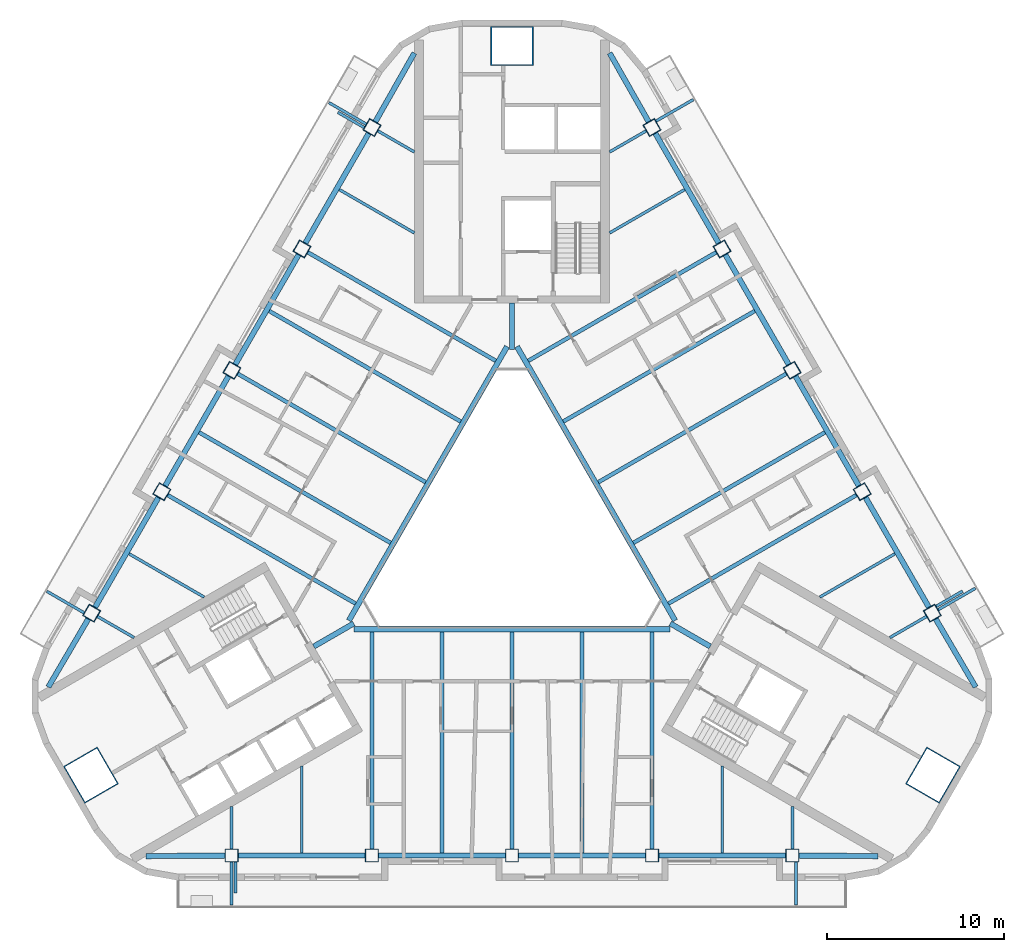
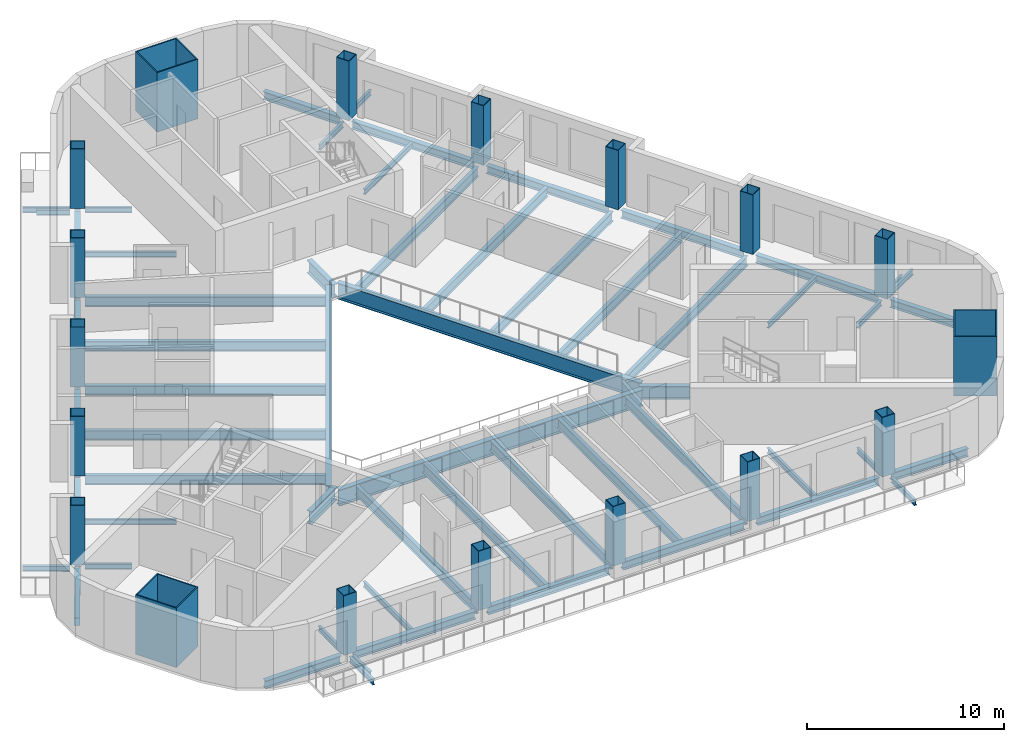
# One storey, part 1 of 14: 60 beams, 18 columns.
"""IFC4 building model written with IfcOpenShell, lengths in metres."""

import ifcopenshell
import ifcopenshell.guid

model = None  # the IFC model being written
_history = None  # IfcOwnerHistory: only IFC2X3 demands one
_inside = {}  # id of a spatial element -> (the spatial element, [elements in it])
_under = {}  # id of a project, library or spatial element -> (it, [spatial elements below it])
_declared = {}  # id of a project -> (the project, [libraries it declares])
_typed = {}  # id of a type object -> (the type object, [elements of that type])
_made_of = {}  # id of a material, layer set ... -> (it, [elements and type objects made of it])


def new_model(schema):
    """Start an empty IFC model of exactly this schema.

    Asked for "IFC4X3", IfcOpenShell would pick the latest addendum, in which some entities
    have other attributes; the version numbers below select the first issue.
    IFC2X3 requires an IfcOwnerHistory on every rooted entity: one is made here for all.
    """
    global model, _history
    if schema == "IFC4X3":
        model = ifcopenshell.file(schema_version=(4, 3, 0, 0))
    else:
        model = ifcopenshell.file(schema=schema)
    _inside.clear()
    _under.clear()
    _declared.clear()
    _typed.clear()
    _made_of.clear()
    _history = None
    if model.schema == "IFC2X3":
        org = make("IfcOrganization", Name="unknown")
        user = make(
            "IfcPersonAndOrganization",
            ThePerson=make("IfcPerson", FamilyName="unknown"),
            TheOrganization=org,
        )
        app = make(
            "IfcApplication",
            ApplicationDeveloper=org,
            Version="unknown",
            ApplicationFullName="unknown",
            ApplicationIdentifier="unknown",
        )
        _history = make(
            "IfcOwnerHistory",
            OwningUser=user,
            OwningApplication=app,
            ChangeAction="ADDED",
            CreationDate=0,
        )
    return model


def make(cls, **values):
    """One entity of the class cls with the attributes given. An attribute that is None is left unset."""
    return model.create_entity(
        cls, **{name: value for name, value in values.items() if value is not None}
    )


def rooted(cls, **values):
    """An entity with a GlobalId (a new one), such as an element, a storey or a relation."""
    return make(cls, GlobalId=ifcopenshell.guid.new(), OwnerHistory=_history, **values)


def si_unit(unit_type, name, prefix=None):
    """IfcSIUnit, for example si_unit("LENGTHUNIT", "METRE", prefix="MILLI")."""
    return make("IfcSIUnit", UnitType=unit_type, Prefix=prefix, Name=name)


def assignment(units):
    """IfcUnitAssignment: the units of a project."""
    return None if units is None else make("IfcUnitAssignment", Units=units)


def point(xyz):
    """IfcCartesianPoint."""
    return None if xyz is None else make("IfcCartesianPoint", Coordinates=xyz)


def direction(xyz):
    """IfcDirection."""
    return None if xyz is None else make("IfcDirection", DirectionRatios=xyz)


def frame(location, z_axis=None, x_axis=None):
    """IfcAxis2Placement3D, a coordinate frame: its origin and axes. An axis left out is left unset."""
    return make(
        "IfcAxis2Placement3D",
        Location=point(location),
        Axis=direction(z_axis),
        RefDirection=direction(x_axis),
    )


def frame_2d(location, x_axis=None):
    """IfcAxis2Placement2D, a coordinate frame in the plane: its origin and x axis."""
    return make(
        "IfcAxis2Placement2D", Location=point(location), RefDirection=direction(x_axis)
    )


def origin():
    """The frame at (0, 0, 0) with its axes left unset."""
    return frame((0.0, 0.0, 0.0))


def origin_2d():
    """The frame at (0, 0) in the plane with its x axis left unset."""
    return frame_2d((0.0, 0.0))


def place(relative_to, where):
    """IfcLocalPlacement: puts the frame where relative to a parent placement (None: the world)."""
    return make(
        "IfcLocalPlacement", PlacementRelTo=relative_to, RelativePlacement=where
    )


def context(
    kind, dimensions, precision=None, world=None, true_north=None, identifier=None
):
    """IfcGeometricRepresentationContext, for example the 3D "Model" context."""
    return make(
        "IfcGeometricRepresentationContext",
        ContextIdentifier=identifier,
        ContextType=kind,
        CoordinateSpaceDimension=dimensions,
        Precision=precision,
        WorldCoordinateSystem=world,
        TrueNorth=true_north,
    )


def subcontext(parent, identifier, kind, view, scale=None):
    """IfcGeometricRepresentationSubContext, for example "Body" below "Model"."""
    return make(
        "IfcGeometricRepresentationSubContext",
        ContextIdentifier=identifier,
        ContextType=kind,
        ParentContext=parent,
        TargetScale=scale,
        TargetView=view,
    )


def project(units=None, contexts=None):
    """IfcProject with its units and contexts."""
    return rooted(
        "IfcProject",
        Name="project",
        RepresentationContexts=contexts,
        UnitsInContext=assignment(units),
    )


def spatial(cls, under=None, at=None, **own):
    """A site, building, storey or space (cls), placed at a placement, below another one or the project."""
    s = rooted(cls, ObjectPlacement=at, **own)
    if under is not None:
        _under.setdefault(under.id(), (under, []))[1].append(s)
    return s


def profile(cls, at=None, kind="AREA", **sizes):
    """A parametric profile (cls). Its sizes go by their IFC names, for example OverallWidth=200.0."""
    return make(cls, ProfileType=kind, Position=at, **sizes)


def rectangle(**sizes):
    """IfcRectangleProfileDef."""
    return profile("IfcRectangleProfileDef", **sizes)


def hollow_rectangle(**sizes):
    """IfcRectangleHollowProfileDef."""
    return profile("IfcRectangleHollowProfileDef", **sizes)


def i_section(**sizes):
    """IfcIShapeProfileDef."""
    return profile("IfcIShapeProfileDef", **sizes)


def extrude(swept, where, along, depth):
    """IfcExtrudedAreaSolid: the profile swept, set in the frame where, extruded along a direction by depth."""
    return make(
        "IfcExtrudedAreaSolid",
        SweptArea=swept,
        Position=where,
        ExtrudedDirection=direction(along),
        Depth=depth,
    )


def shape(context_of_items, identifier, shape_type, items):
    """IfcShapeRepresentation: the items that make up one representation, for example the "Body"."""
    return make(
        "IfcShapeRepresentation",
        ContextOfItems=context_of_items,
        RepresentationIdentifier=identifier,
        RepresentationType=shape_type,
        Items=items,
    )


def material(Name=None, Category=None):
    """IfcMaterial."""
    return make("IfcMaterial", Name=Name, Category=Category)


def material_profile(
    of_material, cross_section, Name=None, Category=None, Priority=None
):
    """IfcMaterialProfile: a cross section and its material."""
    return make(
        "IfcMaterialProfile",
        Name=Name,
        Material=of_material,
        Profile=cross_section,
        Priority=Priority,
        Category=Category,
    )


def profile_set(profiles, Name=None, composite=None):
    """IfcMaterialProfileSet."""
    return make(
        "IfcMaterialProfileSet",
        Name=Name,
        MaterialProfiles=profiles,
        CompositeProfile=composite,
    )


def made_of(thing, what):
    """Note that an element or type object is made of a material, layer set ...; save() writes the relation."""
    if what is not None:
        _made_of.setdefault(what.id(), (what, []))[1].append(thing)
    return thing


def type_object(cls, material=None, **own):
    """A type object (cls), such as IfcWallType, which elements share."""
    return made_of(rooted(cls, **own), material)


def element(
    cls,
    number,
    at=None,
    inside=None,
    cuts=None,
    type_object=None,
    material=None,
    context=None,
    identifier="Body",
    shape_type=None,
    held_by="IfcProductDefinitionShape",
    body=None,
    shapes=None,
    **own,
):
    """One element of the class cls, such as IfcWall. Its Tag is "e" and its number.

    at: its placement. inside: the storey or other place that contains it. cuts: it is an
    opening in that element (IfcRelVoidsElement). A single representation is given by context,
    identifier, shape_type and body (its items); several are given by shapes. held_by: the class
    of the entity that holds the representations. save() writes the other relations.
    """
    e = rooted(cls, Tag="e%d" % number, ObjectPlacement=at, **own)
    if body is not None:
        shapes = [shape(context, identifier, shape_type, body)]
    if shapes is not None:
        e.Representation = make(held_by, Representations=shapes)
    if inside is not None:
        _inside.setdefault(inside.id(), (inside, []))[1].append(e)
    if cuts is not None:
        rooted(
            "IfcRelVoidsElement", RelatingBuildingElement=cuts, RelatedOpeningElement=e
        )
    if type_object is not None:
        _typed.setdefault(type_object.id(), (type_object, []))[1].append(e)
    return made_of(e, material)


def aggregate(whole, parts):
    """IfcRelAggregates: a whole, such as a stair, and the parts it consists of."""
    return rooted("IfcRelAggregates", RelatingObject=whole, RelatedObjects=parts)


def save(model, path):
    """Write the relations noted so far, then the file.

    IfcRelAggregates (storeys below a building ...), IfcRelContainedInSpatialStructure (elements
    in a storey), IfcRelDefinesByType, IfcRelAssociatesMaterial and IfcRelDeclares: one each for
    every whole, place, type object, material and project.
    """
    for whole, parts in _under.values():
        aggregate(whole, parts)
    for where, things in _inside.values():
        rooted(
            "IfcRelContainedInSpatialStructure",
            RelatedElements=things,
            RelatingStructure=where,
        )
    for kind, things in _typed.values():
        rooted("IfcRelDefinesByType", RelatedObjects=things, RelatingType=kind)
    for what, things in _made_of.values():
        rooted("IfcRelAssociatesMaterial", RelatedObjects=things, RelatingMaterial=what)
    for by, libraries in _declared.values():
        rooted("IfcRelDeclares", RelatingContext=by, RelatedDefinitions=libraries)
    model.write(path)


model = new_model("IFC4")

# Units and contexts
model_context = context("Model", 3, precision=1e-05, world=origin(), true_north=direction((0.0, 1.0)))
body_context = subcontext(model_context, "Body", "Model", "MODEL_VIEW")
ifc_project = project(units=[si_unit("LENGTHUNIT", "METRE"), si_unit("AREAUNIT", "SQUARE_METRE"), si_unit("VOLUMEUNIT", "CUBIC_METRE"), si_unit("PLANEANGLEUNIT", "RADIAN"), si_unit("MASSUNIT", "GRAM", prefix="KILO")], contexts=[model_context])

# Site, building, storey
site_placement = place(None, origin())
site = spatial("IfcSite", under=ifc_project, at=site_placement, CompositionType="ELEMENT")
building_placement = place(site_placement, origin())
building = spatial("IfcBuilding", under=site, at=building_placement, Name="Apuvela Tower Hotel", CompositionType="ELEMENT")
storey_placement = place(building_placement, frame((0.0, 0.0, 220.60009765625)))
storey = spatial("IfcBuildingStorey", under=building, at=storey_placement, Name="L54", CompositionType="ELEMENT", Elevation=220.60009765625)

# Columns
ifc_material_1 = material(Name="Steel S460", Category="steel")
ifc_material_profile_1 = material_profile(ifc_material_1, hollow_rectangle(XDim=2.39990234375, YDim=2.199951171875, WallThickness=0.06005859375, at=origin_2d()), Name="BOX 2400x2200x60")
ifc_material_2 = material(Name="Concrete C80/95", Category="concrete")
ifc_material_profile_2 = material_profile(ifc_material_2, rectangle(XDim=2.280029296875, YDim=2.080078125, at=origin_2d()), Name="Concrete C80/95 infill")
ifc_profile_set_1 = profile_set([ifc_material_profile_1, ifc_material_profile_2], Name="Steel S460")
column_type_1 = type_object("IfcColumnType", Name="STR-MC mega column BOX 2400x2200x60", PredefinedType="COLUMN", material=ifc_profile_set_1)
for number, where, z_axis, x_axis, name in (
    (1, (0.0, 27.39990234375, 0.0), (0.0, 0.0, 1.0), (1.0, 0.0, 0.0), "Mega column MC3 N"),
    (2, (-23.72900390625, -13.699951171875, 0.0), (0.0, 0.0, 1.0), (-0.5, 0.866025403784, 0.0), "Mega column MC3 SW"),
    (3, (23.72900390625, -13.699951171875, 0.0), (0.0, 0.0, 1.0), (0.5, 0.866025403784, 0.0), "Mega column MC3 SE"),
):
    element("IfcColumn", number, at=place(storey_placement, frame(where, z_axis=z_axis, x_axis=x_axis)), inside=storey, type_object=column_type_1, Name=name, PredefinedType="COLUMN", context=body_context, shape_type="SweptSolid", body=[
        extrude(hollow_rectangle(XDim=2.39990234375, YDim=2.199951171875, WallThickness=0.06005859375, at=origin_2d()), origin(), (0.0, 0.0, 1.0), 3.699951171875),
    ])
ifc_material_profile_3 = material_profile(ifc_material_1, hollow_rectangle(XDim=0.75, YDim=0.75, WallThickness=0.034912109375, at=origin_2d()), Name="BOX 750x750x35")
ifc_material_profile_4 = material_profile(ifc_material_2, rectangle(XDim=0.679931640625, YDim=0.679931640625, at=origin_2d()), Name="Concrete C80/95 infill")
ifc_profile_set_2 = profile_set([ifc_material_profile_3, ifc_material_profile_4], Name="Steel S460")
column_type_2 = type_object("IfcColumnType", Name="STR-PC perimeter column BOX 750x750x35", PredefinedType="COLUMN", material=ifc_profile_set_2)
for number, where, z_axis, x_axis, name in (
    (4, (-15.800048828125, -18.22998046875, 0.0), (0.0, 0.0, 1.0), (-1.0, 0.0, 0.0), "Perimeter column C5 S1"),
    (5, (-7.89990234375, -18.22998046875, 0.0), (0.0, 0.0, 1.0), (-1.0, 0.0, 0.0), "Perimeter column C5 S2"),
    (6, (0.0, -18.22998046875, 0.0), (0.0, 0.0, 1.0), (-1.0, 0.0, 0.0), "Perimeter column C5 S3"),
    (7, (7.89990234375, -18.22998046875, 0.0), (0.0, 0.0, 1.0), (-1.0, 0.0, 0.0), "Perimeter column C5 S4"),
    (8, (15.800048828125, -18.22998046875, 0.0), (0.0, 0.0, 1.0), (-1.0, 0.0, 0.0), "Perimeter column C5 S5"),
    (9, (23.6875, -4.568115234375, 0.0), (0.0, 0.0, 1.0), (-0.5, 0.866025403784, 0.0), "Perimeter column C5 NE1"),
    (10, (19.737548828125, 2.2734375, 0.0), (0.0, 0.0, 1.0), (-0.5, 0.866025403784, 0.0), "Perimeter column C5 NE2"),
    (11, (15.78759765625, 9.114990234375, 0.0), (0.0, 0.0, 1.0), (-0.5, 0.866025403784, 0.0), "Perimeter column C5 NE3"),
    (12, (11.837646484375, 15.95654296875, 0.0), (0.0, 0.0, 1.0), (-0.5, 0.866025403784, 0.0), "Perimeter column C5 NE4"),
    (13, (7.8876953125, 22.798095703125, 0.0), (0.0, 0.0, 1.0), (-0.5, 0.866025403784, 0.0), "Perimeter column C5 NE5"),
    (14, (-7.8876953125, 22.798095703125, 0.0), (0.0, 0.0, 1.0), (0.5, 0.866025403784, 0.0), "Perimeter column C5 NW1"),
    (15, (-11.837646484375, 15.95654296875, 0.0), (0.0, 0.0, 1.0), (0.5, 0.866025403784, 0.0), "Perimeter column C5 NW2"),
    (16, (-15.78759765625, 9.114990234375, 0.0), (0.0, 0.0, 1.0), (0.5, 0.866025403784, 0.0), "Perimeter column C5 NW3"),
    (17, (-19.737548828125, 2.2734375, 0.0), (0.0, 0.0, 1.0), (0.5, 0.866025403784, 0.0), "Perimeter column C5 NW4"),
    (18, (-23.6875, -4.568115234375, 0.0), (0.0, 0.0, 1.0), (0.5, 0.866025403784, 0.0), "Perimeter column C5 NW5"),
):
    element("IfcColumn", number, at=place(storey_placement, frame(where, z_axis=z_axis, x_axis=x_axis)), inside=storey, type_object=column_type_2, Name=name, PredefinedType="COLUMN", context=body_context, shape_type="SweptSolid", body=[
        extrude(hollow_rectangle(XDim=0.75, YDim=0.75, WallThickness=0.034912109375, at=origin_2d()), origin(), (0.0, 0.0, 1.0), 3.699951171875),
    ])

# Beams
ifc_material_3 = material(Name="Steel S355", Category="steel")
ifc_material_profile_5 = material_profile(ifc_material_3, i_section(OverallWidth=0.159912109375, OverallDepth=0.330078125, WebThickness=0.007568359375, FlangeThickness=0.011474609375, at=origin_2d()), Name="IPE 330")
ifc_profile_set_3 = profile_set([ifc_material_profile_5], Name="Steel S355")
beam_type_1 = type_object("IfcBeamType", Name="ENV-BALCONY-BEAM-IPE330", PredefinedType="BEAM", material=ifc_profile_set_3)
beam_1_placement = place(storey_placement, frame((-15.800048828125, -18.60498046875, -0.315185546875), z_axis=(0.0, -1.0, 0.0), x_axis=(1.0, 0.0, 0.0)))
element("IfcBeam", 19, at=beam_1_placement, inside=storey, type_object=beam_type_1, Name="Balcony cantilever beam S1 L54", PredefinedType="BEAM", context=body_context, shape_type="SweptSolid", body=[
    extrude(i_section(OverallWidth=0.159912109375, OverallDepth=0.330078125, WebThickness=0.007568359375, FlangeThickness=0.011474609375, at=origin_2d()), origin(), (0.0, 0.0, 1.0), 2.425048828125),
])
beam_2_placement = place(storey_placement, frame((-15.580078125, -18.60498046875, -0.315185546875), z_axis=(0.0, -1.0, 0.0), x_axis=(1.0, 0.0, 0.0)))
element("IfcBeam", 20, at=beam_2_placement, inside=storey, type_object=beam_type_1, Name="Balcony cantilever beam S2 L54", PredefinedType="BEAM", context=body_context, shape_type="SweptSolid", body=[
    extrude(i_section(OverallWidth=0.159912109375, OverallDepth=0.330078125, WebThickness=0.007568359375, FlangeThickness=0.011474609375, at=origin_2d()), origin(), (0.0, 0.0, 1.0), 1.72509765625),
])
for number, where, z_axis, x_axis, name in (
    (21, (16.0, -18.60498046875, -0.315185546875), (0.0, -1.0, 0.0), (1.0, 0.0, 0.0), "Balcony cantilever beam S3 L54"),
    (22, (24.012451171875, -4.380615234375, -0.315185546875), (0.866041403502, 0.499972286653, 0.0), (-0.499972286653, 0.866041403502, 0.0), "Balcony cantilever beam NE1 L54"),
):
    element("IfcBeam", number, at=place(storey_placement, frame(where, z_axis=z_axis, x_axis=x_axis)), inside=storey, type_object=beam_type_1, Name=name, PredefinedType="BEAM", context=body_context, shape_type="SweptSolid", body=[
        extrude(i_section(OverallWidth=0.159912109375, OverallDepth=0.330078125, WebThickness=0.007568359375, FlangeThickness=0.011474609375, at=origin_2d()), origin(), (0.0, 0.0, 1.0), 2.425048828125),
    ])
beam_3_placement = place(storey_placement, frame((23.90234375, -4.190185546875, -0.315185546875), z_axis=(0.866013532718, 0.500020560727, 0.0), x_axis=(-0.500020560727, 0.866013532718, 0.0)))
element("IfcBeam", 23, at=beam_3_placement, inside=storey, type_object=beam_type_1, Name="Balcony cantilever beam NE2 L54", PredefinedType="BEAM", context=body_context, shape_type="SweptSolid", body=[
    extrude(i_section(OverallWidth=0.159912109375, OverallDepth=0.330078125, WebThickness=0.007568359375, FlangeThickness=0.011474609375, at=origin_2d()), origin(), (0.0, 0.0, 1.0), 1.72509765625),
])
for number, where, z_axis, x_axis, name in (
    (24, (8.1123046875, 23.158935546875, -0.315185546875), (0.866041403502, 0.499972286653, 0.0), (-0.499972286653, 0.866041403502, 0.0), "Balcony cantilever beam NE3 L54"),
    (25, (-8.21240234375, 22.985595703125, -0.315185546875), (-0.865997808697, 0.500047793048, 0.0), (-0.500047793048, -0.865997808697, 0.0), "Balcony cantilever beam NW1 L54"),
):
    element("IfcBeam", number, at=place(storey_placement, frame(where, z_axis=z_axis, x_axis=x_axis)), inside=storey, type_object=beam_type_1, Name=name, PredefinedType="BEAM", context=body_context, shape_type="SweptSolid", body=[
        extrude(i_section(OverallWidth=0.159912109375, OverallDepth=0.330078125, WebThickness=0.007568359375, FlangeThickness=0.011474609375, at=origin_2d()), origin(), (0.0, 0.0, 1.0), 2.425048828125),
    ])
beam_4_placement = place(storey_placement, frame((-8.322509765625, 22.795166015625, -0.315185546875), z_axis=(-0.866013532718, 0.500020560727, 0.0), x_axis=(-0.500020560727, -0.866013532718, 0.0)))
element("IfcBeam", 26, at=beam_4_placement, inside=storey, type_object=beam_type_1, Name="Balcony cantilever beam NW2 L54", PredefinedType="BEAM", context=body_context, shape_type="SweptSolid", body=[
    extrude(i_section(OverallWidth=0.159912109375, OverallDepth=0.330078125, WebThickness=0.007568359375, FlangeThickness=0.011474609375, at=origin_2d()), origin(), (0.0, 0.0, 1.0), 1.72509765625),
])
beam_5_placement = place(storey_placement, frame((-24.1123046875, -4.553955078125, -0.315185546875), z_axis=(-0.865997808697, 0.500047793048, 0.0), x_axis=(-0.500047793048, -0.865997808697, 0.0)))
element("IfcBeam", 27, at=beam_5_placement, inside=storey, type_object=beam_type_1, Name="Balcony cantilever beam NW3 L54", PredefinedType="BEAM", context=body_context, shape_type="SweptSolid", body=[
    extrude(i_section(OverallWidth=0.159912109375, OverallDepth=0.330078125, WebThickness=0.007568359375, FlangeThickness=0.011474609375, at=origin_2d()), origin(), (0.0, 0.0, 1.0), 2.425048828125),
])
ifc_material_profile_6 = material_profile(ifc_material_3, i_section(OverallWidth=0.159912109375, OverallDepth=0.330078125, WebThickness=0.007568359375, FlangeThickness=0.011474609375, at=origin_2d()), Name="IPE 330")
ifc_profile_set_4 = profile_set([ifc_material_profile_6], Name="Steel S355")
beam_type_2 = type_object("IfcBeamType", Name="STR-B floor beam IPE 330", PredefinedType="BEAM", material=ifc_profile_set_4)
beam_6_placement = place(storey_placement, frame((23.36279296875, -4.755615234375, -0.315185546875), z_axis=(-0.865982457891, -0.500074377092, 0.0), x_axis=(0.500074377092, -0.865982457891, 0.0)))
element("IfcBeam", 28, at=beam_6_placement, inside=storey, type_object=beam_type_2, Name="Floor beam B1 NE1", PredefinedType="BEAM", context=body_context, shape_type="SweptSolid", body=[
    extrude(i_section(OverallWidth=0.159912109375, OverallDepth=0.330078125, WebThickness=0.007568359375, FlangeThickness=0.011474609375, at=origin_2d()), origin(), (0.0, 0.0, 1.0), 2.382080078125),
])
for number, where, z_axis, x_axis, name in (
    (29, (21.582763671875, -1.222412109375, -0.315185546875), (-0.866015056278, -0.500017921979, 0.0), (0.500017921979, -0.866015056278, 0.0), "Floor beam B1 NE2"),
    (30, (9.732666015625, 19.302490234375, -0.315185546875), (-0.866015056278, -0.500017921979, 0.0), (0.500017921979, -0.866015056278, 0.0), "Floor beam B1 NE8"),
):
    element("IfcBeam", number, at=place(storey_placement, frame(where, z_axis=z_axis, x_axis=x_axis)), inside=storey, type_object=beam_type_2, Name=name, PredefinedType="BEAM", context=body_context, shape_type="SweptSolid", body=[
        extrude(i_section(OverallWidth=0.159912109375, OverallDepth=0.330078125, WebThickness=0.007568359375, FlangeThickness=0.011474609375, at=origin_2d()), origin(), (0.0, 0.0, 1.0), 4.887451171875),
    ])
for number, where, z_axis, x_axis, name in (
    (31, (7.56298828125, 22.610595703125, -0.315185546875), (-0.866052464367, -0.499953126767, 0.0), (0.499953126767, -0.866052464367, 0.0), "Floor beam B1 NE9"),
    (32, (-7.56298828125, 22.610595703125, -0.315185546875), (0.866052464367, -0.499953126767, 0.0), (0.499953126767, 0.866052464367, 0.0), "Floor beam B1 NW1"),
):
    element("IfcBeam", number, at=place(storey_placement, frame(where, z_axis=z_axis, x_axis=x_axis)), inside=storey, type_object=beam_type_2, Name=name, PredefinedType="BEAM", context=body_context, shape_type="SweptSolid", body=[
        extrude(i_section(OverallWidth=0.159912109375, OverallDepth=0.330078125, WebThickness=0.007568359375, FlangeThickness=0.011474609375, at=origin_2d()), origin(), (0.0, 0.0, 1.0), 2.382080078125),
    ])
for number, where, z_axis, x_axis, name in (
    (33, (-9.732666015625, 19.302490234375, -0.315185546875), (0.866015056278, -0.500017921979, 0.0), (0.500017921979, 0.866015056278, 0.0), "Floor beam B1 NW2"),
    (34, (-21.582763671875, -1.222412109375, -0.315185546875), (0.866015056278, -0.500017921979, 0.0), (0.500017921979, 0.866015056278, 0.0), "Floor beam B1 NW8"),
):
    element("IfcBeam", number, at=place(storey_placement, frame(where, z_axis=z_axis, x_axis=x_axis)), inside=storey, type_object=beam_type_2, Name=name, PredefinedType="BEAM", context=body_context, shape_type="SweptSolid", body=[
        extrude(i_section(OverallWidth=0.159912109375, OverallDepth=0.330078125, WebThickness=0.007568359375, FlangeThickness=0.011474609375, at=origin_2d()), origin(), (0.0, 0.0, 1.0), 4.887451171875),
    ])
for number, where, z_axis, x_axis, name in (
    (35, (-23.36279296875, -4.755615234375, -0.315185546875), (0.865982457891, -0.500074377092, 0.0), (0.500074377092, 0.865982457891, 0.0), "Floor beam B1 NW9"),
    (36, (-15.800048828125, -17.85498046875, -0.315185546875), (0.0, 1.0, 0.0), (-1.0, 0.0, 0.0), "Floor beam B1 S1"),
):
    element("IfcBeam", number, at=place(storey_placement, frame(where, z_axis=z_axis, x_axis=x_axis)), inside=storey, type_object=beam_type_2, Name=name, PredefinedType="BEAM", context=body_context, shape_type="SweptSolid", body=[
        extrude(i_section(OverallWidth=0.159912109375, OverallDepth=0.330078125, WebThickness=0.007568359375, FlangeThickness=0.011474609375, at=origin_2d()), origin(), (0.0, 0.0, 1.0), 2.382080078125),
    ])
for number, where, z_axis, x_axis, name in (
    (37, (-11.85009765625, -18.080078125, -0.315185546875), (0.0, 1.0, 0.0), (-1.0, 0.0, 0.0), "Floor beam B1 S2"),
    (38, (11.85009765625, -18.080078125, -0.315185546875), (0.0, 1.0, 0.0), (-1.0, 0.0, 0.0), "Floor beam B1 S8"),
):
    element("IfcBeam", number, at=place(storey_placement, frame(where, z_axis=z_axis, x_axis=x_axis)), inside=storey, type_object=beam_type_2, Name=name, PredefinedType="BEAM", context=body_context, shape_type="SweptSolid", body=[
        extrude(i_section(OverallWidth=0.159912109375, OverallDepth=0.330078125, WebThickness=0.007568359375, FlangeThickness=0.011474609375, at=origin_2d()), origin(), (0.0, 0.0, 1.0), 4.8876953125),
    ])
beam_7_placement = place(storey_placement, frame((15.800048828125, -17.85498046875, -0.315185546875), z_axis=(0.0, 1.0, 0.0), x_axis=(-1.0, 0.0, 0.0)))
element("IfcBeam", 39, at=beam_7_placement, inside=storey, type_object=beam_type_2, Name="Floor beam B1 S9", PredefinedType="BEAM", context=body_context, shape_type="SweptSolid", body=[
    extrude(i_section(OverallWidth=0.159912109375, OverallDepth=0.330078125, WebThickness=0.007568359375, FlangeThickness=0.011474609375, at=origin_2d()), origin(), (0.0, 0.0, 1.0), 2.382080078125),
])
ifc_material_profile_7 = material_profile(ifc_material_3, i_section(OverallWidth=0.219970703125, OverallDepth=0.60009765625, WebThickness=0.011962890625, FlangeThickness=0.01904296875, at=origin_2d()), Name="IPE 600")
ifc_profile_set_5 = profile_set([ifc_material_profile_7], Name="Steel S355")
beam_type_3 = type_object("IfcBeamType", Name="STR-B floor beam IPE 600", PredefinedType="BEAM", material=ifc_profile_set_5)
beam_8_placement = place(storey_placement, frame((19.412841796875, 2.0859375, -0.4501953125), z_axis=(-0.866025418325, -0.499999974815, 0.0), x_axis=(0.499999974815, -0.866025418325, 0.0)))
element("IfcBeam", 40, at=beam_8_placement, inside=storey, type_object=beam_type_3, Name="Floor beam B8 NE3", PredefinedType="BEAM", context=body_context, shape_type="SweptSolid", body=[
    extrude(i_section(OverallWidth=0.219970703125, OverallDepth=0.60009765625, WebThickness=0.011962890625, FlangeThickness=0.01904296875, at=origin_2d()), origin(), (0.0, 0.0, 1.0), 12.23486328125),
])
beam_9_placement = place(storey_placement, frame((17.6328125, 5.619140625, -0.4501953125), z_axis=(-0.866027987673, -0.499995524547, 0.0), x_axis=(0.499995524547, -0.866027987673, 0.0)))
element("IfcBeam", 41, at=beam_9_placement, inside=storey, type_object=beam_type_3, Name="Floor beam B8 NE4", PredefinedType="BEAM", context=body_context, shape_type="SweptSolid", body=[
    extrude(i_section(OverallWidth=0.219970703125, OverallDepth=0.60009765625, WebThickness=0.011962890625, FlangeThickness=0.01904296875, at=origin_2d()), origin(), (0.0, 0.0, 1.0), 12.4599609375),
])
beam_10_placement = place(storey_placement, frame((15.462890625, 8.927490234375, -0.4501953125), z_axis=(-0.866025418325, -0.499999974815, 0.0), x_axis=(0.499999974815, -0.866025418325, 0.0)))
element("IfcBeam", 42, at=beam_10_placement, inside=storey, type_object=beam_type_3, Name="Floor beam B8 NE5", PredefinedType="BEAM", context=body_context, shape_type="SweptSolid", body=[
    extrude(i_section(OverallWidth=0.219970703125, OverallDepth=0.60009765625, WebThickness=0.011962890625, FlangeThickness=0.01904296875, at=origin_2d()), origin(), (0.0, 0.0, 1.0), 12.23486328125),
])
beam_11_placement = place(storey_placement, frame((13.6826171875, 12.460693359375, -0.4501953125), z_axis=(-0.866023089177, -0.500004008996, 0.0), x_axis=(0.500004008996, -0.866023089177, 0.0)))
element("IfcBeam", 43, at=beam_11_placement, inside=storey, type_object=beam_type_3, Name="Floor beam B8 NE6", PredefinedType="BEAM", context=body_context, shape_type="SweptSolid", body=[
    extrude(i_section(OverallWidth=0.219970703125, OverallDepth=0.60009765625, WebThickness=0.011962890625, FlangeThickness=0.01904296875, at=origin_2d()), origin(), (0.0, 0.0, 1.0), 12.4599609375),
])
for number, where, z_axis, x_axis, name in (
    (44, (11.512939453125, 15.76904296875, -0.4501953125), (-0.866030406821, -0.499991334387, 0.0), (0.499991334387, -0.866030406821, 0.0), "Floor beam B8 NE7"),
    (45, (-11.512939453125, 15.76904296875, -0.4501953125), (0.866030406821, -0.499991334387, 0.0), (0.499991334387, 0.866030406821, 0.0), "Floor beam B8 NW3"),
):
    element("IfcBeam", number, at=place(storey_placement, frame(where, z_axis=z_axis, x_axis=x_axis)), inside=storey, type_object=beam_type_3, Name=name, PredefinedType="BEAM", context=body_context, shape_type="SweptSolid", body=[
        extrude(i_section(OverallWidth=0.219970703125, OverallDepth=0.60009765625, WebThickness=0.011962890625, FlangeThickness=0.01904296875, at=origin_2d()), origin(), (0.0, 0.0, 1.0), 12.235107421875),
    ])
beam_12_placement = place(storey_placement, frame((-13.6826171875, 12.460693359375, -0.4501953125), z_axis=(0.866023089177, -0.500004008996, 0.0), x_axis=(0.500004008996, 0.866023089177, 0.0)))
element("IfcBeam", 46, at=beam_12_placement, inside=storey, type_object=beam_type_3, Name="Floor beam B8 NW4", PredefinedType="BEAM", context=body_context, shape_type="SweptSolid", body=[
    extrude(i_section(OverallWidth=0.219970703125, OverallDepth=0.60009765625, WebThickness=0.011962890625, FlangeThickness=0.01904296875, at=origin_2d()), origin(), (0.0, 0.0, 1.0), 12.4599609375),
])
beam_13_placement = place(storey_placement, frame((-15.462890625, 8.927490234375, -0.4501953125), z_axis=(0.866025418325, -0.499999974815, 0.0), x_axis=(0.499999974815, 0.866025418325, 0.0)))
element("IfcBeam", 47, at=beam_13_placement, inside=storey, type_object=beam_type_3, Name="Floor beam B8 NW5", PredefinedType="BEAM", context=body_context, shape_type="SweptSolid", body=[
    extrude(i_section(OverallWidth=0.219970703125, OverallDepth=0.60009765625, WebThickness=0.011962890625, FlangeThickness=0.01904296875, at=origin_2d()), origin(), (0.0, 0.0, 1.0), 12.23486328125),
])
beam_14_placement = place(storey_placement, frame((-17.6328125, 5.619140625, -0.4501953125), z_axis=(0.866027987673, -0.499995524547, 0.0), x_axis=(0.499995524547, 0.866027987673, 0.0)))
element("IfcBeam", 48, at=beam_14_placement, inside=storey, type_object=beam_type_3, Name="Floor beam B8 NW6", PredefinedType="BEAM", context=body_context, shape_type="SweptSolid", body=[
    extrude(i_section(OverallWidth=0.219970703125, OverallDepth=0.60009765625, WebThickness=0.011962890625, FlangeThickness=0.01904296875, at=origin_2d()), origin(), (0.0, 0.0, 1.0), 12.4599609375),
])
for number, where, z_axis, x_axis, name in (
    (49, (-19.412841796875, 2.0859375, -0.4501953125), (0.866025418325, -0.499999974815, 0.0), (0.499999974815, 0.866025418325, 0.0), "Floor beam B8 NW7"),
    (50, (-7.89990234375, -17.85498046875, -0.4501953125), (0.0, 1.0, 0.0), (-1.0, 0.0, 0.0), "Floor beam B8 S3"),
):
    element("IfcBeam", number, at=place(storey_placement, frame(where, z_axis=z_axis, x_axis=x_axis)), inside=storey, type_object=beam_type_3, Name=name, PredefinedType="BEAM", context=body_context, shape_type="SweptSolid", body=[
        extrude(i_section(OverallWidth=0.219970703125, OverallDepth=0.60009765625, WebThickness=0.011962890625, FlangeThickness=0.01904296875, at=origin_2d()), origin(), (0.0, 0.0, 1.0), 12.23486328125),
    ])
beam_15_placement = place(storey_placement, frame((-3.949951171875, -18.080078125, -0.4501953125), z_axis=(0.0, 1.0, 0.0), x_axis=(-1.0, 0.0, 0.0)))
element("IfcBeam", 51, at=beam_15_placement, inside=storey, type_object=beam_type_3, Name="Floor beam B8 S4", PredefinedType="BEAM", context=body_context, shape_type="SweptSolid", body=[
    extrude(i_section(OverallWidth=0.219970703125, OverallDepth=0.60009765625, WebThickness=0.011962890625, FlangeThickness=0.01904296875, at=origin_2d()), origin(), (0.0, 0.0, 1.0), 12.4599609375),
])
beam_16_placement = place(storey_placement, frame((0.0, -17.85498046875, -0.4501953125), z_axis=(0.0, 1.0, 0.0), x_axis=(-1.0, 0.0, 0.0)))
element("IfcBeam", 52, at=beam_16_placement, inside=storey, type_object=beam_type_3, Name="Floor beam B8 S5", PredefinedType="BEAM", context=body_context, shape_type="SweptSolid", body=[
    extrude(i_section(OverallWidth=0.219970703125, OverallDepth=0.60009765625, WebThickness=0.011962890625, FlangeThickness=0.01904296875, at=origin_2d()), origin(), (0.0, 0.0, 1.0), 12.23486328125),
])
beam_17_placement = place(storey_placement, frame((3.949951171875, -18.080078125, -0.4501953125), z_axis=(0.0, 1.0, 0.0), x_axis=(-1.0, 0.0, 0.0)))
element("IfcBeam", 53, at=beam_17_placement, inside=storey, type_object=beam_type_3, Name="Floor beam B8 S6", PredefinedType="BEAM", context=body_context, shape_type="SweptSolid", body=[
    extrude(i_section(OverallWidth=0.219970703125, OverallDepth=0.60009765625, WebThickness=0.011962890625, FlangeThickness=0.01904296875, at=origin_2d()), origin(), (0.0, 0.0, 1.0), 12.4599609375),
])
beam_18_placement = place(storey_placement, frame((7.89990234375, -17.85498046875, -0.4501953125), z_axis=(0.0, 1.0, 0.0), x_axis=(-1.0, 0.0, 0.0)))
element("IfcBeam", 54, at=beam_18_placement, inside=storey, type_object=beam_type_3, Name="Floor beam B8 S7", PredefinedType="BEAM", context=body_context, shape_type="SweptSolid", body=[
    extrude(i_section(OverallWidth=0.219970703125, OverallDepth=0.60009765625, WebThickness=0.011962890625, FlangeThickness=0.01904296875, at=origin_2d()), origin(), (0.0, 0.0, 1.0), 12.23486328125),
])
ifc_material_profile_8 = material_profile(ifc_material_3, i_section(OverallWidth=0.300048828125, OverallDepth=1.0, WebThickness=0.01904296875, FlangeThickness=0.035888671875, at=origin_2d()), Name="HE 1000 B")
ifc_profile_set_6 = profile_set([ifc_material_profile_8], Name="Steel S355")
beam_type_4 = type_object("IfcBeamType", Name="STR-G atrium ring girder HE 1000 B", PredefinedType="BEAM", material=ifc_profile_set_6)
beam_19_placement = place(storey_placement, frame((-0.27978515625, 10.455078125, -0.650146484375), z_axis=(-0.500006541319, -0.866021627119, 0.0), x_axis=(0.866021627119, -0.500006541319, 0.0)))
element("IfcBeam", 55, at=beam_19_placement, inside=storey, type_object=beam_type_4, Name="Atrium ring girder G2 N-SW", PredefinedType="BEAM", context=body_context, shape_type="SweptSolid", body=[
    extrude(i_section(OverallWidth=0.300048828125, OverallDepth=1.0, WebThickness=0.01904296875, FlangeThickness=0.035888671875, at=origin_2d()), origin(), (0.0, 0.0, 1.0), 17.828857421875),
])
beam_20_placement = place(storey_placement, frame((-8.91455078125, -5.469970703125, -0.650146484375), z_axis=(1.0, 0.0, 0.0), x_axis=(0.0, 1.0, 0.0)))
element("IfcBeam", 56, at=beam_20_placement, inside=storey, type_object=beam_type_4, Name="Atrium ring girder G2 SW-SE", PredefinedType="BEAM", context=body_context, shape_type="SweptSolid", body=[
    extrude(i_section(OverallWidth=0.300048828125, OverallDepth=1.0, WebThickness=0.01904296875, FlangeThickness=0.035888671875, at=origin_2d()), origin(), (0.0, 0.0, 1.0), 17.8291015625),
])
beam_21_placement = place(storey_placement, frame((9.1943359375, -4.985107421875, -0.650146484375), z_axis=(-0.500006541319, 0.866021627119, 0.0), x_axis=(-0.866021627119, -0.500006541319, 0.0)))
element("IfcBeam", 57, at=beam_21_placement, inside=storey, type_object=beam_type_4, Name="Atrium ring girder G2 SE-N", PredefinedType="BEAM", context=body_context, shape_type="SweptSolid", body=[
    extrude(i_section(OverallWidth=0.300048828125, OverallDepth=1.0, WebThickness=0.01904296875, FlangeThickness=0.035888671875, at=origin_2d()), origin(), (0.0, 0.0, 1.0), 17.828857421875),
])
ifc_material_profile_9 = material_profile(ifc_material_3, i_section(OverallWidth=0.300048828125, OverallDepth=0.800048828125, WebThickness=0.017578125, FlangeThickness=0.032958984375, at=origin_2d()), Name="HE 800 B")
ifc_profile_set_7 = profile_set([ifc_material_profile_9], Name="Steel S355")
beam_type_5 = type_object("IfcBeamType", Name="STR-GT core tie beam HE 800 B", PredefinedType="BEAM", material=ifc_profile_set_7)
for number, where, z_axis, x_axis, name in (
    (58, (0.0, 12.89990234375, -0.550048828125), (0.0, -1.0, 0.0), (1.0, 0.0, 0.0), "Core tie beam GT1 N"),
    (59, (-11.171630859375, -6.449951171875, -0.550048828125), (0.865997922154, 0.500047596559, 0.0), (-0.500047596559, 0.865997922154, 0.0), "Core tie beam GT1 SW"),
    (60, (11.171630859375, -6.449951171875, -0.550048828125), (-0.865997922154, 0.500047596559, 0.0), (-0.500047596559, -0.865997922154, 0.0), "Core tie beam GT1 SE"),
):
    element("IfcBeam", number, at=place(storey_placement, frame(where, z_axis=z_axis, x_axis=x_axis)), inside=storey, type_object=beam_type_5, Name=name, PredefinedType="BEAM", context=body_context, shape_type="SweptSolid", body=[
        extrude(i_section(OverallWidth=0.300048828125, OverallDepth=0.800048828125, WebThickness=0.017578125, FlangeThickness=0.032958984375, at=origin_2d()), origin(), (0.0, 0.0, 1.0), 2.599853515625),
    ])
ifc_material_profile_10 = material_profile(ifc_material_3, i_section(OverallWidth=0.300048828125, OverallDepth=0.489990234375, WebThickness=0.011962890625, FlangeThickness=0.02294921875, at=origin_2d()), Name="HE 500 A")
ifc_profile_set_8 = profile_set([ifc_material_profile_10], Name="Steel S355")
beam_type_6 = type_object("IfcBeamType", Name="STR-SB spandrel beam HE 500 A", PredefinedType="SPANDREL", material=ifc_profile_set_8)
beam_22_placement = place(storey_placement, frame((-15.425048828125, -18.22998046875, -0.39501953125), z_axis=(1.0, 0.0, 0.0), x_axis=(0.0, 1.0, 0.0)))
element("IfcBeam", 61, at=beam_22_placement, inside=storey, type_object=beam_type_6, Name="Spandrel beam SB3 S1", PredefinedType="SPANDREL", context=body_context, shape_type="SweptSolid", body=[
    extrude(i_section(OverallWidth=0.300048828125, OverallDepth=0.489990234375, WebThickness=0.011962890625, FlangeThickness=0.02294921875, at=origin_2d()), origin(), (0.0, 0.0, 1.0), 7.150146484375),
])
for number, where, z_axis, x_axis, name in (
    (62, (-7.52490234375, -18.22998046875, -0.39501953125), (1.0, 0.0, 0.0), (0.0, 1.0, 0.0), "Spandrel beam SB3 S2"),
    (63, (0.375, -18.22998046875, -0.39501953125), (1.0, 0.0, 0.0), (0.0, 1.0, 0.0), "Spandrel beam SB3 S3"),
):
    element("IfcBeam", number, at=place(storey_placement, frame(where, z_axis=z_axis, x_axis=x_axis)), inside=storey, type_object=beam_type_6, Name=name, PredefinedType="SPANDREL", context=body_context, shape_type="SweptSolid", body=[
        extrude(i_section(OverallWidth=0.300048828125, OverallDepth=0.489990234375, WebThickness=0.011962890625, FlangeThickness=0.02294921875, at=origin_2d()), origin(), (0.0, 0.0, 1.0), 7.14990234375),
    ])
beam_23_placement = place(storey_placement, frame((8.27490234375, -18.22998046875, -0.39501953125), z_axis=(1.0, 0.0, 0.0), x_axis=(0.0, 1.0, 0.0)))
element("IfcBeam", 64, at=beam_23_placement, inside=storey, type_object=beam_type_6, Name="Spandrel beam SB3 S4", PredefinedType="SPANDREL", context=body_context, shape_type="SweptSolid", body=[
    extrude(i_section(OverallWidth=0.300048828125, OverallDepth=0.489990234375, WebThickness=0.011962890625, FlangeThickness=0.02294921875, at=origin_2d()), origin(), (0.0, 0.0, 1.0), 7.150146484375),
])
beam_24_placement = place(storey_placement, frame((23.5, -4.243408203125, -0.39501953125), z_axis=(-0.500006209673, 0.866021818598, 0.0), x_axis=(-0.866021818598, -0.500006209673, 0.0)))
element("IfcBeam", 65, at=beam_24_placement, inside=storey, type_object=beam_type_6, Name="Spandrel beam SB3 NE1", PredefinedType="SPANDREL", context=body_context, shape_type="SweptSolid", body=[
    extrude(i_section(OverallWidth=0.300048828125, OverallDepth=0.489990234375, WebThickness=0.011962890625, FlangeThickness=0.02294921875, at=origin_2d()), origin(), (0.0, 0.0, 1.0), 7.14990234375),
])
for number, where, z_axis, x_axis, name in (
    (66, (19.550048828125, 2.59814453125, -0.39501953125), (-0.499991424076, 0.86603035504, 0.0), (-0.86603035504, -0.499991424076, 0.0), "Spandrel beam SB3 NE2"),
    (67, (15.60009765625, 9.439697265625, -0.39501953125), (-0.499991424076, 0.86603035504, 0.0), (-0.86603035504, -0.499991424076, 0.0), "Spandrel beam SB3 NE3"),
):
    element("IfcBeam", number, at=place(storey_placement, frame(where, z_axis=z_axis, x_axis=x_axis)), inside=storey, type_object=beam_type_6, Name=name, PredefinedType="SPANDREL", context=body_context, shape_type="SweptSolid", body=[
        extrude(i_section(OverallWidth=0.300048828125, OverallDepth=0.489990234375, WebThickness=0.011962890625, FlangeThickness=0.02294921875, at=origin_2d()), origin(), (0.0, 0.0, 1.0), 7.150146484375),
    ])
for number, where, z_axis, x_axis, name in (
    (68, (11.650146484375, 16.281494140625, -0.39501953125), (-0.500006209673, 0.866021818598, 0.0), (-0.866021818598, -0.500006209673, 0.0), "Spandrel beam SB3 NE4"),
    (69, (-8.0751953125, 22.473388671875, -0.39501953125), (-0.500006209673, -0.866021818598, 0.0), (0.866021818598, -0.500006209673, 0.0), "Spandrel beam SB3 NW1"),
):
    element("IfcBeam", number, at=place(storey_placement, frame(where, z_axis=z_axis, x_axis=x_axis)), inside=storey, type_object=beam_type_6, Name=name, PredefinedType="SPANDREL", context=body_context, shape_type="SweptSolid", body=[
        extrude(i_section(OverallWidth=0.300048828125, OverallDepth=0.489990234375, WebThickness=0.011962890625, FlangeThickness=0.02294921875, at=origin_2d()), origin(), (0.0, 0.0, 1.0), 7.14990234375),
    ])
for number, where, z_axis, x_axis, name in (
    (70, (-12.025146484375, 15.6318359375, -0.39501953125), (-0.499991424076, -0.86603035504, 0.0), (0.86603035504, -0.499991424076, 0.0), "Spandrel beam SB3 NW2"),
    (71, (-15.97509765625, 8.790283203125, -0.39501953125), (-0.499991424076, -0.86603035504, 0.0), (0.86603035504, -0.499991424076, 0.0), "Spandrel beam SB3 NW3"),
):
    element("IfcBeam", number, at=place(storey_placement, frame(where, z_axis=z_axis, x_axis=x_axis)), inside=storey, type_object=beam_type_6, Name=name, PredefinedType="SPANDREL", context=body_context, shape_type="SweptSolid", body=[
        extrude(i_section(OverallWidth=0.300048828125, OverallDepth=0.489990234375, WebThickness=0.011962890625, FlangeThickness=0.02294921875, at=origin_2d()), origin(), (0.0, 0.0, 1.0), 7.150146484375),
    ])
beam_25_placement = place(storey_placement, frame((-19.925048828125, 1.948486328125, -0.39501953125), z_axis=(-0.500006209673, -0.866021818598, 0.0), x_axis=(0.866021818598, -0.500006209673, 0.0)))
element("IfcBeam", 72, at=beam_25_placement, inside=storey, type_object=beam_type_6, Name="Spandrel beam SB3 NW4", PredefinedType="SPANDREL", context=body_context, shape_type="SweptSolid", body=[
    extrude(i_section(OverallWidth=0.300048828125, OverallDepth=0.489990234375, WebThickness=0.011962890625, FlangeThickness=0.02294921875, at=origin_2d()), origin(), (0.0, 0.0, 1.0), 7.14990234375),
])
for number, where, z_axis, x_axis, name in (
    (73, (-16.175048828125, -18.232666015625, -0.39501953125), (-0.999976567383, -0.006845778571, 0.0), (0.006845778571, -0.999976567383, 0.0), "Spandrel beam SB3 S1-SW"),
    (74, (16.175048828125, -18.232666015625, -0.39501953125), (0.999976567383, -0.006845778571, 0.0), (0.006845778571, 0.999976567383, 0.0), "Spandrel beam SB3 S5-SE"),
    (75, (23.87744140625, -4.8916015625, -0.39501953125), (0.505933122104, -0.862572707636, 0.0), (0.862572707636, 0.505933122104, 0.0), "Spandrel beam SB3 NE1-SE"),
    (76, (7.702392578125, 23.124267578125, -0.39501953125), (-0.494055513212, 0.869430359411, 0.0), (-0.869430359411, -0.494055513212, 0.0), "Spandrel beam SB3 NE5-N"),
    (77, (-7.702392578125, 23.124267578125, -0.39501953125), (0.494055513212, 0.869430359411, 0.0), (-0.869430359411, 0.494055513212, 0.0), "Spandrel beam SB3 NW1-N"),
    (78, (-23.87744140625, -4.8916015625, -0.39501953125), (-0.505933122104, -0.862572707636, 0.0), (0.862572707636, -0.505933122104, 0.0), "Spandrel beam SB3 NW5-SW"),
):
    element("IfcBeam", number, at=place(storey_placement, frame(where, z_axis=z_axis, x_axis=x_axis)), inside=storey, type_object=beam_type_6, Name=name, PredefinedType="SPANDREL", context=body_context, shape_type="SweptSolid", body=[
        extrude(i_section(OverallWidth=0.300048828125, OverallDepth=0.489990234375, WebThickness=0.011962890625, FlangeThickness=0.02294921875, at=origin_2d()), origin(), (0.0, 0.0, 1.0), 4.457763671875),
    ])

save(model, "model.ifc")
